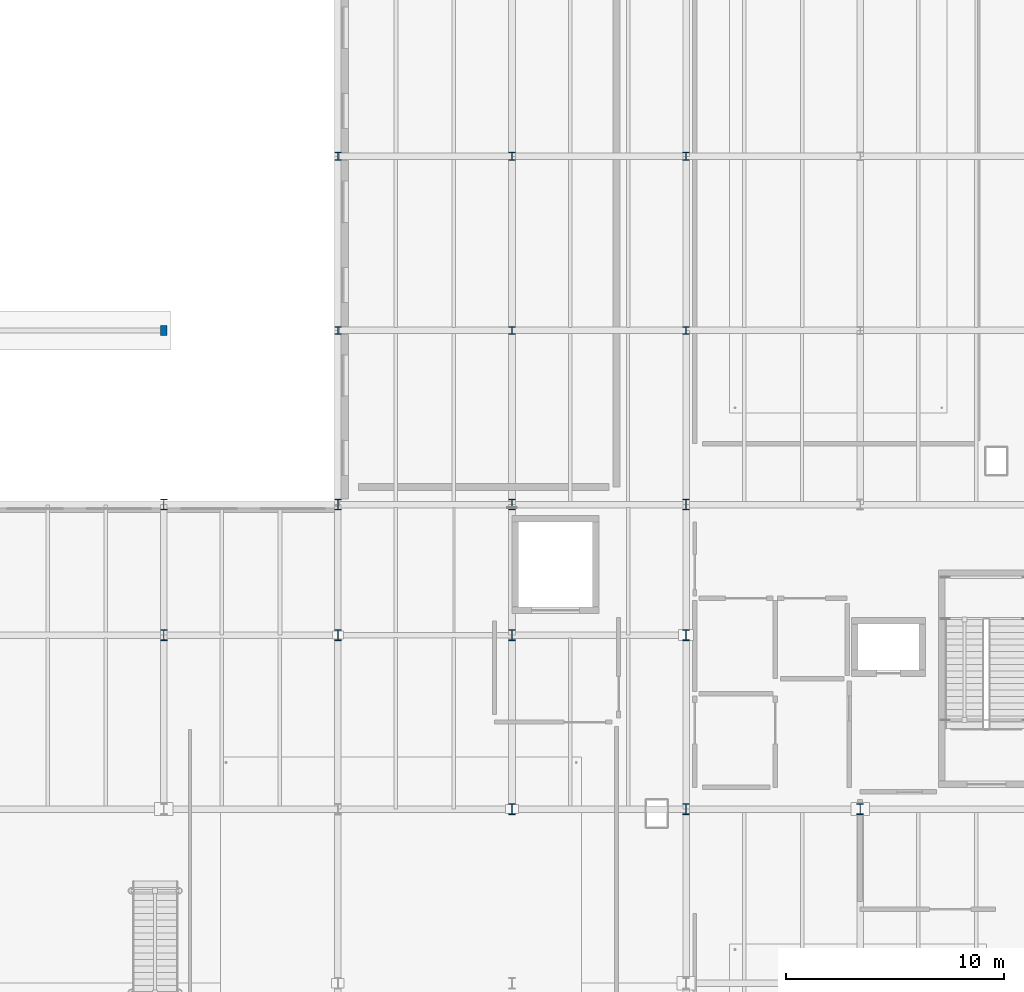
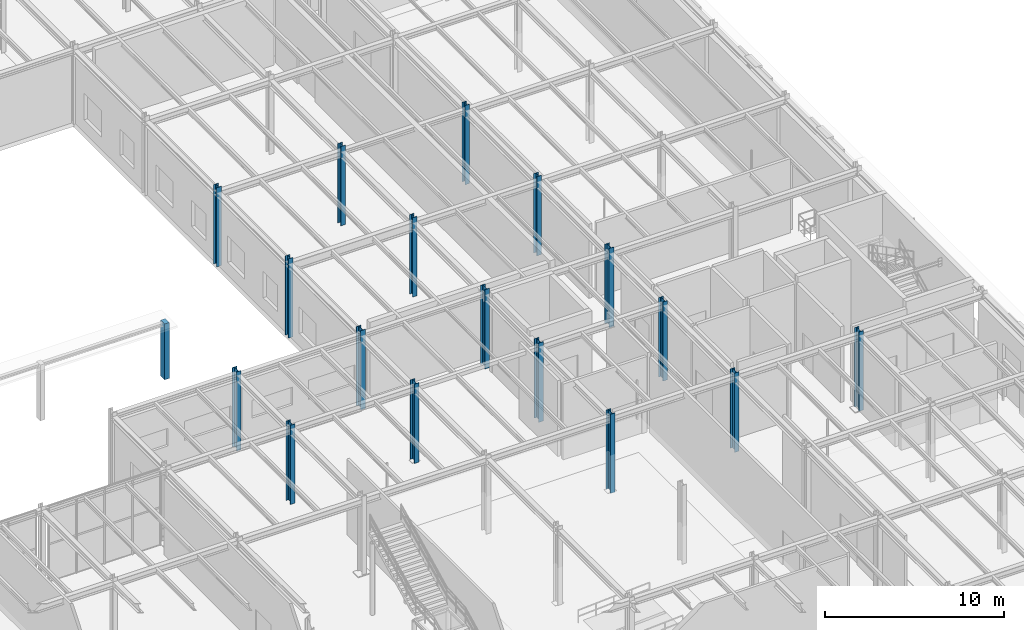
# One storey, part 20 of 129: 18 columns.
"""IFC4 building model written with IfcOpenShell, lengths in metres."""

import ifcopenshell
import ifcopenshell.guid

model = None  # the IFC model being written
_history = None  # IfcOwnerHistory: only IFC2X3 demands one
_inside = {}  # id of a spatial element -> (the spatial element, [elements in it])
_under = {}  # id of a project, library or spatial element -> (it, [spatial elements below it])
_declared = {}  # id of a project -> (the project, [libraries it declares])
_typed = {}  # id of a type object -> (the type object, [elements of that type])
_made_of = {}  # id of a material, layer set ... -> (it, [elements and type objects made of it])


def new_model(schema):
    """Start an empty IFC model of exactly this schema.

    Asked for "IFC4X3", IfcOpenShell would pick the latest addendum, in which some entities
    have other attributes; the version numbers below select the first issue.
    IFC2X3 requires an IfcOwnerHistory on every rooted entity: one is made here for all.
    """
    global model, _history
    if schema == "IFC4X3":
        model = ifcopenshell.file(schema_version=(4, 3, 0, 0))
    else:
        model = ifcopenshell.file(schema=schema)
    _inside.clear()
    _under.clear()
    _declared.clear()
    _typed.clear()
    _made_of.clear()
    _history = None
    if model.schema == "IFC2X3":
        org = make("IfcOrganization", Name="unknown")
        user = make(
            "IfcPersonAndOrganization",
            ThePerson=make("IfcPerson", FamilyName="unknown"),
            TheOrganization=org,
        )
        app = make(
            "IfcApplication",
            ApplicationDeveloper=org,
            Version="unknown",
            ApplicationFullName="unknown",
            ApplicationIdentifier="unknown",
        )
        _history = make(
            "IfcOwnerHistory",
            OwningUser=user,
            OwningApplication=app,
            ChangeAction="ADDED",
            CreationDate=0,
        )
    return model


def make(cls, **values):
    """One entity of the class cls with the attributes given. An attribute that is None is left unset."""
    return model.create_entity(
        cls, **{name: value for name, value in values.items() if value is not None}
    )


def rooted(cls, **values):
    """An entity with a GlobalId (a new one), such as an element, a storey or a relation."""
    return make(cls, GlobalId=ifcopenshell.guid.new(), OwnerHistory=_history, **values)


def si_unit(unit_type, name, prefix=None):
    """IfcSIUnit, for example si_unit("LENGTHUNIT", "METRE", prefix="MILLI")."""
    return make("IfcSIUnit", UnitType=unit_type, Prefix=prefix, Name=name)


def assignment(units):
    """IfcUnitAssignment: the units of a project."""
    return None if units is None else make("IfcUnitAssignment", Units=units)


def point(xyz):
    """IfcCartesianPoint."""
    return None if xyz is None else make("IfcCartesianPoint", Coordinates=xyz)


def direction(xyz):
    """IfcDirection."""
    return None if xyz is None else make("IfcDirection", DirectionRatios=xyz)


def frame(location, z_axis=None, x_axis=None):
    """IfcAxis2Placement3D, a coordinate frame: its origin and axes. An axis left out is left unset."""
    return make(
        "IfcAxis2Placement3D",
        Location=point(location),
        Axis=direction(z_axis),
        RefDirection=direction(x_axis),
    )


def frame_2d(location, x_axis=None):
    """IfcAxis2Placement2D, a coordinate frame in the plane: its origin and x axis."""
    return make(
        "IfcAxis2Placement2D", Location=point(location), RefDirection=direction(x_axis)
    )


def origin():
    """The frame at (0, 0, 0) with its axes left unset."""
    return frame((0.0, 0.0, 0.0))


def origin_2d():
    """The frame at (0, 0) in the plane with its x axis left unset."""
    return frame_2d((0.0, 0.0))


def place(relative_to, where):
    """IfcLocalPlacement: puts the frame where relative to a parent placement (None: the world)."""
    return make(
        "IfcLocalPlacement", PlacementRelTo=relative_to, RelativePlacement=where
    )


def context(
    kind, dimensions, precision=None, world=None, true_north=None, identifier=None
):
    """IfcGeometricRepresentationContext, for example the 3D "Model" context."""
    return make(
        "IfcGeometricRepresentationContext",
        ContextIdentifier=identifier,
        ContextType=kind,
        CoordinateSpaceDimension=dimensions,
        Precision=precision,
        WorldCoordinateSystem=world,
        TrueNorth=true_north,
    )


def subcontext(parent, identifier, kind, view, scale=None):
    """IfcGeometricRepresentationSubContext, for example "Body" below "Model"."""
    return make(
        "IfcGeometricRepresentationSubContext",
        ContextIdentifier=identifier,
        ContextType=kind,
        ParentContext=parent,
        TargetScale=scale,
        TargetView=view,
    )


def project(units=None, contexts=None):
    """IfcProject with its units and contexts."""
    return rooted(
        "IfcProject",
        Name="project",
        RepresentationContexts=contexts,
        UnitsInContext=assignment(units),
    )


def spatial(cls, under=None, at=None, **own):
    """A site, building, storey or space (cls), placed at a placement, below another one or the project."""
    s = rooted(cls, ObjectPlacement=at, **own)
    if under is not None:
        _under.setdefault(under.id(), (under, []))[1].append(s)
    return s


def profile(cls, at=None, kind="AREA", **sizes):
    """A parametric profile (cls). Its sizes go by their IFC names, for example OverallWidth=200.0."""
    return make(cls, ProfileType=kind, Position=at, **sizes)


def rectangle(**sizes):
    """IfcRectangleProfileDef."""
    return profile("IfcRectangleProfileDef", **sizes)


def i_section(**sizes):
    """IfcIShapeProfileDef."""
    return profile("IfcIShapeProfileDef", **sizes)


def extrude(swept, where, along, depth):
    """IfcExtrudedAreaSolid: the profile swept, set in the frame where, extruded along a direction by depth."""
    return make(
        "IfcExtrudedAreaSolid",
        SweptArea=swept,
        Position=where,
        ExtrudedDirection=direction(along),
        Depth=depth,
    )


def shape(context_of_items, identifier, shape_type, items):
    """IfcShapeRepresentation: the items that make up one representation, for example the "Body"."""
    return make(
        "IfcShapeRepresentation",
        ContextOfItems=context_of_items,
        RepresentationIdentifier=identifier,
        RepresentationType=shape_type,
        Items=items,
    )


def material(Name=None, Category=None):
    """IfcMaterial."""
    return make("IfcMaterial", Name=Name, Category=Category)


def material_profile(
    of_material, cross_section, Name=None, Category=None, Priority=None
):
    """IfcMaterialProfile: a cross section and its material."""
    return make(
        "IfcMaterialProfile",
        Name=Name,
        Material=of_material,
        Profile=cross_section,
        Priority=Priority,
        Category=Category,
    )


def profile_set(profiles, Name=None, composite=None):
    """IfcMaterialProfileSet."""
    return make(
        "IfcMaterialProfileSet",
        Name=Name,
        MaterialProfiles=profiles,
        CompositeProfile=composite,
    )


def made_of(thing, what):
    """Note that an element or type object is made of a material, layer set ...; save() writes the relation."""
    if what is not None:
        _made_of.setdefault(what.id(), (what, []))[1].append(thing)
    return thing


def type_object(cls, material=None, **own):
    """A type object (cls), such as IfcWallType, which elements share."""
    return made_of(rooted(cls, **own), material)


def element(
    cls,
    number,
    at=None,
    inside=None,
    cuts=None,
    type_object=None,
    material=None,
    context=None,
    identifier="Body",
    shape_type=None,
    held_by="IfcProductDefinitionShape",
    body=None,
    shapes=None,
    **own,
):
    """One element of the class cls, such as IfcWall. Its Tag is "e" and its number.

    at: its placement. inside: the storey or other place that contains it. cuts: it is an
    opening in that element (IfcRelVoidsElement). A single representation is given by context,
    identifier, shape_type and body (its items); several are given by shapes. held_by: the class
    of the entity that holds the representations. save() writes the other relations.
    """
    e = rooted(cls, Tag="e%d" % number, ObjectPlacement=at, **own)
    if body is not None:
        shapes = [shape(context, identifier, shape_type, body)]
    if shapes is not None:
        e.Representation = make(held_by, Representations=shapes)
    if inside is not None:
        _inside.setdefault(inside.id(), (inside, []))[1].append(e)
    if cuts is not None:
        rooted(
            "IfcRelVoidsElement", RelatingBuildingElement=cuts, RelatedOpeningElement=e
        )
    if type_object is not None:
        _typed.setdefault(type_object.id(), (type_object, []))[1].append(e)
    return made_of(e, material)


def aggregate(whole, parts):
    """IfcRelAggregates: a whole, such as a stair, and the parts it consists of."""
    return rooted("IfcRelAggregates", RelatingObject=whole, RelatedObjects=parts)


def save(model, path):
    """Write the relations noted so far, then the file.

    IfcRelAggregates (storeys below a building ...), IfcRelContainedInSpatialStructure (elements
    in a storey), IfcRelDefinesByType, IfcRelAssociatesMaterial and IfcRelDeclares: one each for
    every whole, place, type object, material and project.
    """
    for whole, parts in _under.values():
        aggregate(whole, parts)
    for where, things in _inside.values():
        rooted(
            "IfcRelContainedInSpatialStructure",
            RelatedElements=things,
            RelatingStructure=where,
        )
    for kind, things in _typed.values():
        rooted("IfcRelDefinesByType", RelatedObjects=things, RelatingType=kind)
    for what, things in _made_of.values():
        rooted("IfcRelAssociatesMaterial", RelatedObjects=things, RelatingMaterial=what)
    for by, libraries in _declared.values():
        rooted("IfcRelDeclares", RelatingContext=by, RelatedDefinitions=libraries)
    model.write(path)


model = new_model("IFC4")

# Units and contexts
model_context = context("Model", 3, precision=1e-05, world=origin(), true_north=direction((0.0, 1.0)))
body_context = subcontext(model_context, "Body", "Model", "MODEL_VIEW")
ifc_project = project(units=[si_unit("LENGTHUNIT", "METRE"), si_unit("AREAUNIT", "SQUARE_METRE"), si_unit("VOLUMEUNIT", "CUBIC_METRE"), si_unit("PLANEANGLEUNIT", "RADIAN"), si_unit("MASSUNIT", "GRAM", prefix="KILO")], contexts=[model_context])

# Site, building, storey
site_placement = place(None, origin())
site = spatial("IfcSite", under=ifc_project, at=site_placement, CompositionType="ELEMENT")
building_placement = place(site_placement, origin())
building = spatial("IfcBuilding", under=site, at=building_placement, Name="Sundkrona Museum", CompositionType="ELEMENT")
storey_placement = place(building_placement, origin())
storey = spatial("IfcBuildingStorey", under=building, at=storey_placement, Name="L00", CompositionType="ELEMENT", Elevation=0.0)

# Columns
ifc_material_1 = material(Name="Steel S355J2", Category="steel")
ifc_material_profile_1 = material_profile(ifc_material_1, i_section(OverallWidth=0.300048828125, OverallDepth=0.360107421875, WebThickness=0.012451171875, FlangeThickness=0.0224609375, FilletRadius=0.027099609375, at=origin_2d()), Name="HEB 360")
ifc_profile_set_1 = profile_set([ifc_material_profile_1], Name="Steel S355J2")
column_type_1 = type_object("IfcColumnType", Name="C-HEB360", PredefinedType="COLUMN", material=ifc_profile_set_1)
for number, where, z_axis, x_axis, name in (
    (1, (136.0, 54.0, 0.0), (0.0, 0.0, 1.0), (1.0, 0.0, 0.0), "L00 Column H/18"),
    (2, (136.0, 62.0, 0.0), (0.0, 0.0, 1.0), (1.0, 0.0, 0.0), "L00 Column J/18"),
    (3, (144.0, 54.0, 0.0), (0.0, 0.0, 1.0), (1.0, 0.0, 0.0), "L00 Column H/19"),
    (4, (144.0, 62.0, 0.0), (0.0, 0.0, 1.0), (1.0, 0.0, 0.0), "L00 Column J/19"),
    (5, (152.0, 54.0, 0.0), (0.0, 0.0, 1.0), (1.0, 0.0, 0.0), "L00 Column H/20"),
    (6, (152.0, 62.0, 0.0), (0.0, 0.0, 1.0), (1.0, 0.0, 0.0), "L00 Column J/20"),
):
    element("IfcColumn", number, at=place(storey_placement, frame(where, z_axis=z_axis, x_axis=x_axis)), inside=storey, type_object=column_type_1, Name=name, PredefinedType="COLUMN", context=body_context, shape_type="SweptSolid", body=[
        extrude(i_section(OverallWidth=0.300048828125, OverallDepth=0.360107421875, WebThickness=0.012451171875, FlangeThickness=0.0224609375, FilletRadius=0.027099609375, at=origin_2d()), origin(), (0.0, 0.0, 1.0), 5.39990234375),
    ])
ifc_material_profile_2 = material_profile(ifc_material_1, i_section(OverallWidth=0.300048828125, OverallDepth=0.5, WebThickness=0.014404296875, FlangeThickness=0.028076171875, FilletRadius=0.027099609375, at=origin_2d()), Name="HEB 500")
ifc_profile_set_2 = profile_set([ifc_material_profile_2], Name="Steel S355J2")
column_type_2 = type_object("IfcColumnType", Name="C-HEB500", PredefinedType="COLUMN", material=ifc_profile_set_2)
for number, where, z_axis, x_axis, name in (
    (7, (128.0, 40.0, 0.0), (0.0, 0.0, 1.0), (1.0, 0.0, 0.0), "L00 Column F/17"),
    (8, (128.0, 46.0, 0.0), (0.0, 0.0, 1.0), (1.0, 0.0, 0.0), "L00 Column G/17"),
    (9, (136.0, 40.0, 0.0), (0.0, 0.0, 1.0), (1.0, 0.0, 0.0), "L00 Column F/18"),
    (10, (136.0, 46.0, 0.0), (0.0, 0.0, 1.0), (1.0, 0.0, 0.0), "L00 Column G/18"),
    (11, (144.0, 32.0, 0.0), (0.0, 0.0, 1.0), (1.0, 0.0, 0.0), "L00 Column E/19"),
    (12, (144.0, 40.0, 0.0), (0.0, 0.0, 1.0), (1.0, 0.0, 0.0), "L00 Column F/19"),
    (13, (144.0, 46.0, 0.0), (0.0, 0.0, 1.0), (1.0, 0.0, 0.0), "L00 Column G/19"),
    (14, (152.0, 32.0, 0.0), (0.0, 0.0, 1.0), (1.0, 0.0, 0.0), "L00 Column E/20"),
    (15, (152.0, 40.0, 0.0), (0.0, 0.0, 1.0), (1.0, 0.0, 0.0), "L00 Column F/20"),
    (16, (152.0, 46.0, 0.0), (0.0, 0.0, 1.0), (1.0, 0.0, 0.0), "L00 Column G/20"),
    (17, (160.0, 32.0, 0.0), (0.0, 0.0, 1.0), (1.0, 0.0, 0.0), "L00 Column E/21"),
):
    element("IfcColumn", number, at=place(storey_placement, frame(where, z_axis=z_axis, x_axis=x_axis)), inside=storey, type_object=column_type_2, Name=name, PredefinedType="COLUMN", context=body_context, shape_type="SweptSolid", body=[
        extrude(i_section(OverallWidth=0.300048828125, OverallDepth=0.5, WebThickness=0.014404296875, FlangeThickness=0.028076171875, FilletRadius=0.027099609375, at=origin_2d()), origin(), (0.0, 0.0, 1.0), 5.39990234375),
    ])
ifc_material_2 = material(Name="Concrete C40/50", Category="concrete")
ifc_material_profile_3 = material_profile(ifc_material_2, rectangle(XDim=0.300048828125, YDim=0.449951171875, at=origin_2d()), Name="RC 450x300")
ifc_profile_set_3 = profile_set([ifc_material_profile_3], Name="Concrete C40/50")
column_type_3 = type_object("IfcColumnType", Name="PIL-450", PredefinedType="PILASTER", material=ifc_profile_set_3)
column_placement = place(storey_placement, frame((128.0, 54.0, 0.0), z_axis=(0.0, 0.0, 1.0), x_axis=(1.0, 0.0, 0.0)))
element("IfcColumn", 18, at=column_placement, inside=storey, type_object=column_type_3, Name="Courtyard Cloister Pilaster PF-SC-04", PredefinedType="PILASTER", context=body_context, shape_type="SweptSolid", body=[
    extrude(rectangle(XDim=0.300048828125, YDim=0.449951171875, at=origin_2d()), origin(), (0.0, 0.0, 1.0), 3.800048828125),
])

save(model, "model.ifc")
